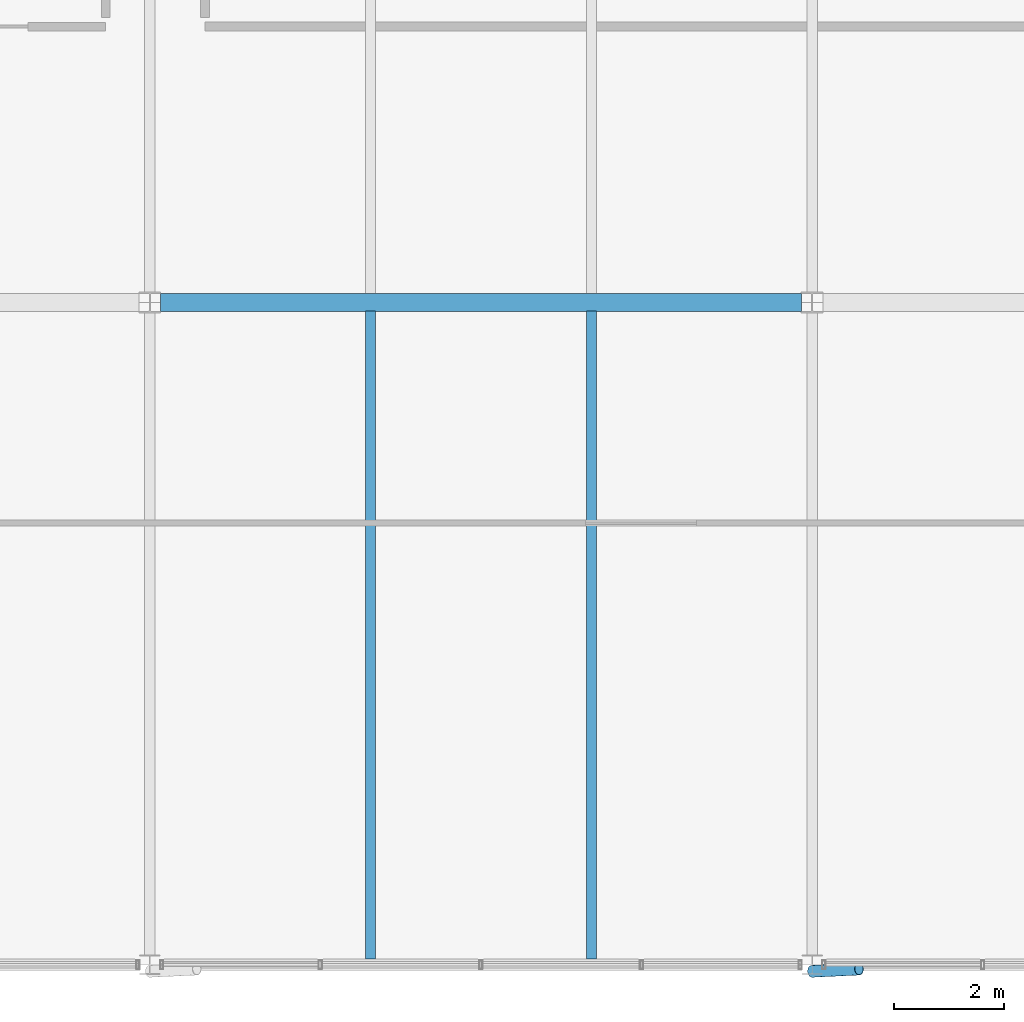
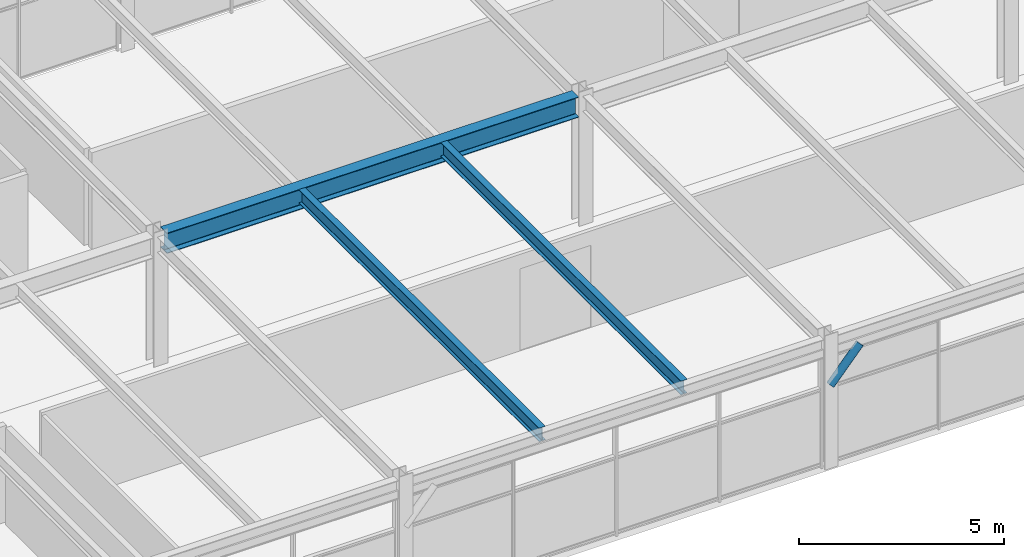
# One storey, part 15 of 40: 3 beams, 1 member.
"""IFC4 building model written with IfcOpenShell, lengths in metres."""

from ifc_helpers import new_model, si_unit, direction, frame, origin, origin_2d, place, context, subcontext, project, spatial, hollow_circle, i_section, extrude, material, material_profile, profile_set, type_object, element, save


model = new_model("IFC4")

# Units and contexts
model_context = context("Model", 3, precision=1e-05, world=origin(), true_north=direction((0.0, 1.0)))
body_context = subcontext(model_context, "Body", "Model", "MODEL_VIEW")
ifc_project = project(units=[si_unit("LENGTHUNIT", "METRE"), si_unit("AREAUNIT", "SQUARE_METRE"), si_unit("VOLUMEUNIT", "CUBIC_METRE"), si_unit("PLANEANGLEUNIT", "RADIAN"), si_unit("MASSUNIT", "GRAM", prefix="KILO")], contexts=[model_context])

# Site, building, storey
site_placement = place(None, origin())
site = spatial("IfcSite", under=ifc_project, at=site_placement, CompositionType="ELEMENT")
building_placement = place(site_placement, origin())
building = spatial("IfcBuilding", under=site, at=building_placement, Name="Girod Span Mobility Hub", CompositionType="ELEMENT")
storey_placement = place(building_placement, frame((0.0, 0.0, 57.60009765625)))
storey = spatial("IfcBuildingStorey", under=building, at=storey_placement, Name="L14", CompositionType="ELEMENT", Elevation=57.60009765625)

# Beams
ifc_material_1 = material(Name="Steel A992 Grade 50", Category="steel")
ifc_material_profile_1 = material_profile(ifc_material_1, i_section(OverallWidth=0.178955078125, OverallDepth=0.409912109375, WebThickness=0.0087890625, FlangeThickness=0.014404296875, FilletRadius=0.012939453125, at=origin_2d()), Name="W16X45")
ifc_profile_set_1 = profile_set([ifc_material_profile_1], Name="Steel A992 Grade 50")
beam_type_1 = type_object("IfcBeamType", Name="BM-STL-W16X45", PredefinedType="BEAM", material=ifc_profile_set_1)
for number, where, z_axis, x_axis, name in (
    (1, (76.0, 45.10302734375, 3.64501953125), (0.0, 1.0, 0.0), (-1.0, 0.0, 0.0), "Composite Floorbeam 7/D-1 L14"),
    (2, (80.0, 45.10302734375, 3.64501953125), (0.0, 1.0, 0.0), (-1.0, 0.0, 0.0), "Composite Floorbeam 7/D-2 L14"),
):
    element("IfcBeam", number, at=place(storey_placement, frame(where, z_axis=z_axis, x_axis=x_axis)), inside=storey, type_object=beam_type_1, Name=name, PredefinedType="BEAM", context=body_context, shape_type="SweptSolid", body=[
        extrude(i_section(OverallWidth=0.178955078125, OverallDepth=0.409912109375, WebThickness=0.0087890625, FlangeThickness=0.014404296875, FilletRadius=0.012939453125, at=origin_2d()), origin(), (0.0, 0.0, 1.0), 11.738037109375),
    ])
ifc_material_2 = material(Name="Steel A992 Grade 50", Category="steel")
ifc_material_profile_2 = material_profile(ifc_material_2, i_section(OverallWidth=0.323974609375, OverallDepth=0.611083984375, WebThickness=0.0126953125, FlangeThickness=0.01904296875, FilletRadius=0.014892578125, at=origin_2d()), Name="W24X104")
ifc_profile_set_2 = profile_set([ifc_material_profile_2], Name="Steel A992 Grade 50")
beam_type_2 = type_object("IfcBeamType", Name="BM-STL-W24X104", PredefinedType="BEAM", material=ifc_profile_set_2)
beam_placement = place(storey_placement, frame((72.194091796875, 57.0, 3.54443359375), z_axis=(1.0, 0.0, 0.0), x_axis=(0.0, 1.0, 0.0)))
element("IfcBeam", 3, at=beam_placement, inside=storey, type_object=beam_type_2, Name="Girder 7-8/E L14", PredefinedType="BEAM", context=body_context, shape_type="SweptSolid", body=[
    extrude(i_section(OverallWidth=0.323974609375, OverallDepth=0.611083984375, WebThickness=0.0126953125, FlangeThickness=0.01904296875, FilletRadius=0.014892578125, at=origin_2d()), origin(), (0.0, 0.0, 1.0), 11.61181640625),
])

# Member
ifc_material_3 = material(Name="Steel HSS A500 Grade C", Category="steel")
ifc_material_profile_3 = material_profile(ifc_material_3, hollow_circle(Radius=0.109619140625, WallThickness=0.0087890625, at=origin_2d()), Name="HSS219X9.5")
ifc_profile_set_3 = profile_set([ifc_material_profile_3], Name="Steel HSS A500 Grade C")
member_type = type_object("IfcMemberType", Name="MB-ST-HSS219", PredefinedType="STRUT", material=ifc_profile_set_3)
member_placement = place(storey_placement, frame((84.0, 44.8798828125, 2.449951171875), z_axis=(0.678338294934, 0.031949305103, 0.734054766029), x_axis=(-0.047047213483, 0.998892666758, 0.0)))
element("IfcMember", 4, at=member_placement, inside=storey, type_object=member_type, Name="Solar Shading Knee Strut 8 L14", PredefinedType="STRUT", context=body_context, shape_type="SweptSolid", body=[
    extrude(hollow_circle(Radius=0.109619140625, WallThickness=0.0087890625, at=origin_2d()), origin(), (0.0, 0.0, 1.0), 1.253173828125),
])

save(model, "model.ifc")
